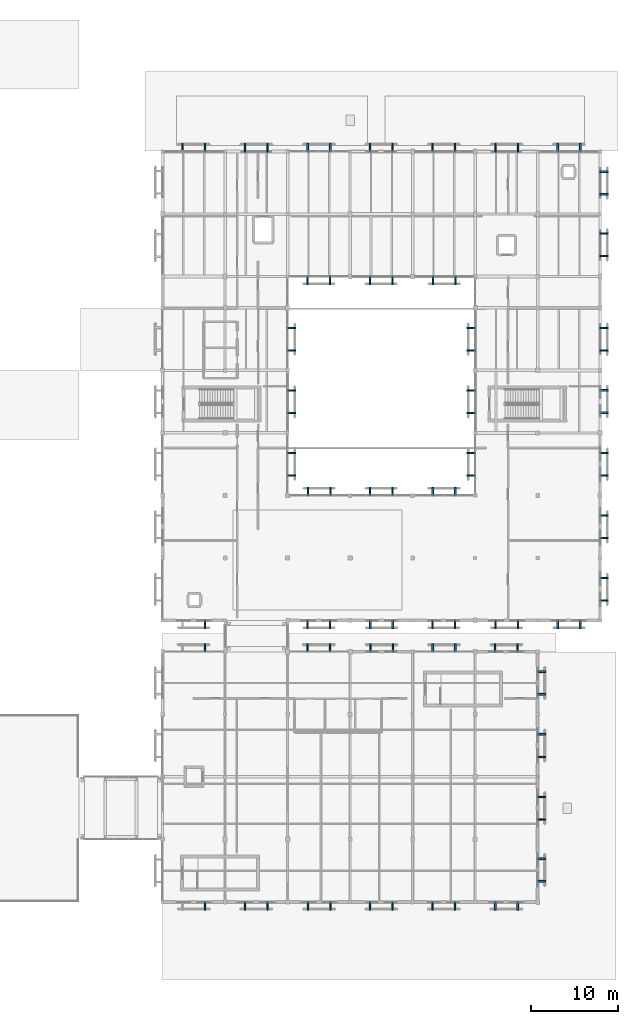
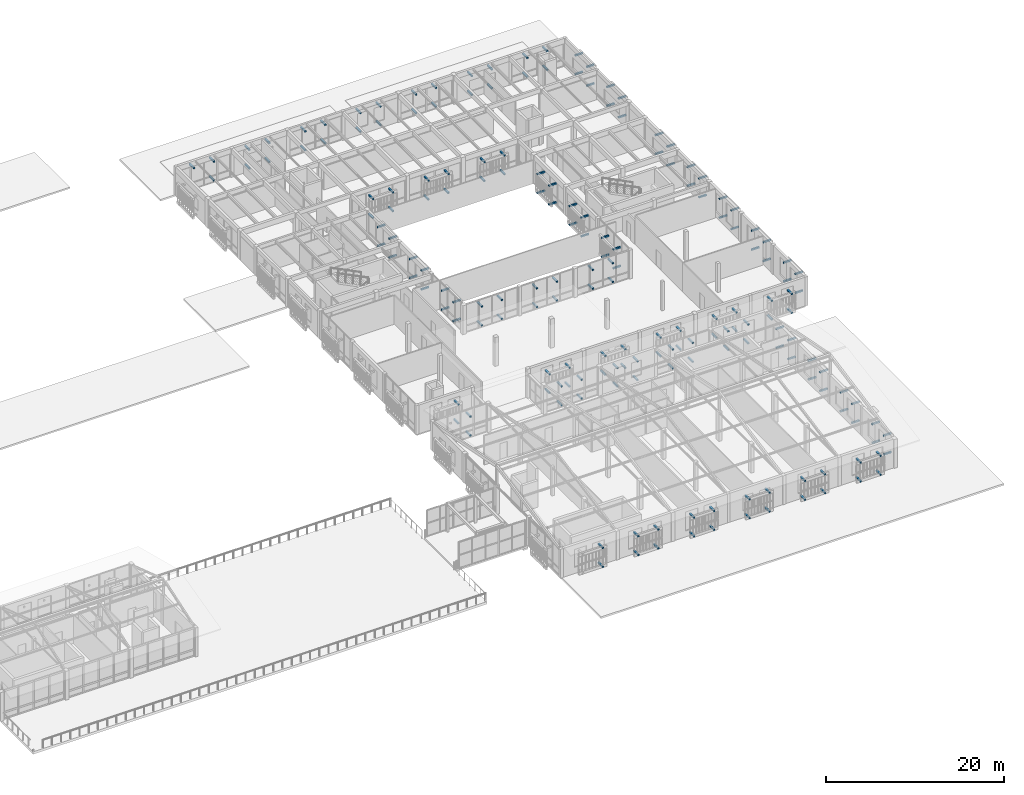
# One storey, part 93 of 112: 181 discrete accessories.
"""IFC4 building model written with IfcOpenShell, lengths in metres."""

from ifc_helpers import new_model, si_unit, direction, frame, origin, origin_2d, place, context, subcontext, project, spatial, rectangle, extrude, material, type_object, element, save


model = new_model("IFC4")

# Units and contexts
model_context = context("Model", 3, precision=1e-05, world=origin(), true_north=direction((0.0, 1.0)))
body_context = subcontext(model_context, "Body", "Model", "MODEL_VIEW")
ifc_project = project(units=[si_unit("LENGTHUNIT", "METRE"), si_unit("AREAUNIT", "SQUARE_METRE"), si_unit("VOLUMEUNIT", "CUBIC_METRE"), si_unit("PLANEANGLEUNIT", "RADIAN"), si_unit("MASSUNIT", "GRAM", prefix="KILO")], contexts=[model_context])

# Site, building, storey
site_placement = place(None, origin())
site = spatial("IfcSite", under=ifc_project, at=site_placement, CompositionType="ELEMENT")
building_placement = place(site_placement, origin())
building = spatial("IfcBuilding", under=site, at=building_placement, Name="Mazaris Harbour Polytechnic", CompositionType="ELEMENT")
storey_placement = place(building_placement, frame((0.0, 0.0, 13.800048828125)))
storey = spatial("IfcBuildingStorey", under=building, at=storey_placement, Name="L03", CompositionType="ELEMENT", Elevation=13.800048828125)

# Discrete accessories
ifc_material = material(Name="Stainless Steel S355", Category="steel")
discrete_accessory_type = type_object("IfcDiscreteAccessoryType", Name="Stainless Screen Outrigger Bracket 200x1020x200", PredefinedType="BRACKET", material=ifc_material)
for number, where, z_axis, x_axis, name in (
    (1, (127.291015625, 13.9599609375, 0.16015625), (0.0, 0.0, 1.0), (-1.0, 0.0, 0.0), "Screen Outrigger Bracket 353"),
    (2, (127.291015625, 13.9599609375, 2.73974609375), (0.0, 0.0, 1.0), (-1.0, 0.0, 0.0), "Screen Outrigger Bracket 354"),
    (3, (134.48095703125, 13.9599609375, 0.16015625), (0.0, 0.0, 1.0), (-1.0, 0.0, 0.0), "Screen Outrigger Bracket 357"),
    (4, (134.48095703125, 13.9599609375, 2.73974609375), (0.0, 0.0, 1.0), (-1.0, 0.0, 0.0), "Screen Outrigger Bracket 358"),
    (5, (131.888916015625, 13.9599609375, 0.16015625), (0.0, 0.0, 1.0), (-1.0, 0.0, 0.0), "Screen Outrigger Bracket 359"),
    (6, (131.888916015625, 13.9599609375, 2.73974609375), (0.0, 0.0, 1.0), (-1.0, 0.0, 0.0), "Screen Outrigger Bracket 360"),
    (7, (141.72607421875, 13.9599609375, 0.16015625), (0.0, 0.0, 1.0), (-1.0, 0.0, 0.0), "Screen Outrigger Bracket 361"),
    (8, (141.72607421875, 13.9599609375, 2.73974609375), (0.0, 0.0, 1.0), (-1.0, 0.0, 0.0), "Screen Outrigger Bracket 362"),
    (9, (139.134033203125, 13.9599609375, 0.16015625), (0.0, 0.0, 1.0), (-1.0, 0.0, 0.0), "Screen Outrigger Bracket 363"),
    (10, (139.134033203125, 13.9599609375, 2.73974609375), (0.0, 0.0, 1.0), (-1.0, 0.0, 0.0), "Screen Outrigger Bracket 364"),
    (11, (148.89111328125, 13.9599609375, 0.16015625), (0.0, 0.0, 1.0), (-1.0, 0.0, 0.0), "Screen Outrigger Bracket 365"),
    (12, (148.89111328125, 13.9599609375, 2.73974609375), (0.0, 0.0, 1.0), (-1.0, 0.0, 0.0), "Screen Outrigger Bracket 366"),
    (13, (146.299072265625, 13.9599609375, 0.16015625), (0.0, 0.0, 1.0), (-1.0, 0.0, 0.0), "Screen Outrigger Bracket 367"),
    (14, (146.299072265625, 13.9599609375, 2.73974609375), (0.0, 0.0, 1.0), (-1.0, 0.0, 0.0), "Screen Outrigger Bracket 368"),
    (15, (156.0810546875, 13.9599609375, 0.16015625), (0.0, 0.0, 1.0), (-1.0, 0.0, 0.0), "Screen Outrigger Bracket 369"),
    (16, (156.0810546875, 13.9599609375, 2.73974609375), (0.0, 0.0, 1.0), (-1.0, 0.0, 0.0), "Screen Outrigger Bracket 370"),
    (17, (153.489013671875, 13.9599609375, 0.16015625), (0.0, 0.0, 1.0), (-1.0, 0.0, 0.0), "Screen Outrigger Bracket 371"),
    (18, (153.489013671875, 13.9599609375, 2.73974609375), (0.0, 0.0, 1.0), (-1.0, 0.0, 0.0), "Screen Outrigger Bracket 372"),
    (19, (163.291015625, 13.9599609375, 0.16015625), (0.0, 0.0, 1.0), (-1.0, 0.0, 0.0), "Screen Outrigger Bracket 373"),
    (20, (163.291015625, 13.9599609375, 2.73974609375), (0.0, 0.0, 1.0), (-1.0, 0.0, 0.0), "Screen Outrigger Bracket 374"),
    (21, (160.698974609375, 13.9599609375, 0.16015625), (0.0, 0.0, 1.0), (-1.0, 0.0, 0.0), "Screen Outrigger Bracket 375"),
    (22, (160.698974609375, 13.9599609375, 2.73974609375), (0.0, 0.0, 1.0), (-1.0, 0.0, 0.0), "Screen Outrigger Bracket 376"),
    (23, (127.281005859375, 43.639892578125, 0.16015625), (0.0, 0.0, 1.0), (1.0, 0.0, 0.0), "Screen Outrigger Bracket 379"),
    (24, (127.281005859375, 43.639892578125, 2.73974609375), (0.0, 0.0, 1.0), (1.0, 0.0, 0.0), "Screen Outrigger Bracket 380"),
    (25, (139.089111328125, 43.639892578125, 0.16015625), (0.0, 0.0, 1.0), (1.0, 0.0, 0.0), "Screen Outrigger Bracket 381"),
    (26, (139.089111328125, 43.639892578125, 2.73974609375), (0.0, 0.0, 1.0), (1.0, 0.0, 0.0), "Screen Outrigger Bracket 382"),
    (27, (141.680908203125, 43.639892578125, 0.16015625), (0.0, 0.0, 1.0), (1.0, 0.0, 0.0), "Screen Outrigger Bracket 383"),
    (28, (141.680908203125, 43.639892578125, 2.73974609375), (0.0, 0.0, 1.0), (1.0, 0.0, 0.0), "Screen Outrigger Bracket 384"),
    (29, (146.333984375, 43.639892578125, 0.16015625), (0.0, 0.0, 1.0), (1.0, 0.0, 0.0), "Screen Outrigger Bracket 385"),
    (30, (146.333984375, 43.639892578125, 2.73974609375), (0.0, 0.0, 1.0), (1.0, 0.0, 0.0), "Screen Outrigger Bracket 386"),
    (31, (148.926025390625, 43.639892578125, 0.16015625), (0.0, 0.0, 1.0), (1.0, 0.0, 0.0), "Screen Outrigger Bracket 387"),
    (32, (148.926025390625, 43.639892578125, 2.73974609375), (0.0, 0.0, 1.0), (1.0, 0.0, 0.0), "Screen Outrigger Bracket 388"),
    (33, (153.4990234375, 43.639892578125, 0.16015625), (0.0, 0.0, 1.0), (1.0, 0.0, 0.0), "Screen Outrigger Bracket 389"),
    (34, (153.4990234375, 43.639892578125, 2.73974609375), (0.0, 0.0, 1.0), (1.0, 0.0, 0.0), "Screen Outrigger Bracket 390"),
    (35, (156.091064453125, 43.639892578125, 0.16015625), (0.0, 0.0, 1.0), (1.0, 0.0, 0.0), "Screen Outrigger Bracket 391"),
    (36, (156.091064453125, 43.639892578125, 2.73974609375), (0.0, 0.0, 1.0), (1.0, 0.0, 0.0), "Screen Outrigger Bracket 392"),
    (37, (160.68896484375, 43.639892578125, 0.16015625), (0.0, 0.0, 1.0), (1.0, 0.0, 0.0), "Screen Outrigger Bracket 393"),
    (38, (160.68896484375, 43.639892578125, 2.73974609375), (0.0, 0.0, 1.0), (1.0, 0.0, 0.0), "Screen Outrigger Bracket 394"),
    (39, (163.281005859375, 43.639892578125, 0.16015625), (0.0, 0.0, 1.0), (1.0, 0.0, 0.0), "Screen Outrigger Bracket 395"),
    (40, (163.281005859375, 43.639892578125, 2.73974609375), (0.0, 0.0, 1.0), (1.0, 0.0, 0.0), "Screen Outrigger Bracket 396"),
    (41, (166.0400390625, 19.361083984375, 0.16015625), (0.0, 0.0, 1.0), (0.0, -1.0, 0.0), "Screen Outrigger Bracket 409"),
    (42, (166.0400390625, 19.361083984375, 2.73974609375), (0.0, 0.0, 1.0), (0.0, -1.0, 0.0), "Screen Outrigger Bracket 410"),
    (43, (166.0400390625, 16.76904296875, 0.16015625), (0.0, 0.0, 1.0), (0.0, -1.0, 0.0), "Screen Outrigger Bracket 411"),
    (44, (166.0400390625, 16.76904296875, 2.73974609375), (0.0, 0.0, 1.0), (0.0, -1.0, 0.0), "Screen Outrigger Bracket 412"),
    (45, (166.0400390625, 26.486083984375, 0.16015625), (0.0, 0.0, 1.0), (0.0, -1.0, 0.0), "Screen Outrigger Bracket 413"),
    (46, (166.0400390625, 26.486083984375, 2.73974609375), (0.0, 0.0, 1.0), (0.0, -1.0, 0.0), "Screen Outrigger Bracket 414"),
    (47, (166.0400390625, 23.89404296875, 0.16015625), (0.0, 0.0, 1.0), (0.0, -1.0, 0.0), "Screen Outrigger Bracket 415"),
    (48, (166.0400390625, 23.89404296875, 2.73974609375), (0.0, 0.0, 1.0), (0.0, -1.0, 0.0), "Screen Outrigger Bracket 416"),
    (49, (166.0400390625, 33.68603515625, 0.16015625), (0.0, 0.0, 1.0), (0.0, -1.0, 0.0), "Screen Outrigger Bracket 417"),
    (50, (166.0400390625, 33.68603515625, 2.73974609375), (0.0, 0.0, 1.0), (0.0, -1.0, 0.0), "Screen Outrigger Bracket 418"),
    (51, (166.0400390625, 31.093994140625, 0.16015625), (0.0, 0.0, 1.0), (0.0, -1.0, 0.0), "Screen Outrigger Bracket 419"),
    (52, (166.0400390625, 31.093994140625, 2.73974609375), (0.0, 0.0, 1.0), (0.0, -1.0, 0.0), "Screen Outrigger Bracket 420"),
    (53, (166.0400390625, 40.885986328125, 0.16015625), (0.0, 0.0, 1.0), (0.0, -1.0, 0.0), "Screen Outrigger Bracket 421"),
    (54, (166.0400390625, 40.885986328125, 2.73974609375), (0.0, 0.0, 1.0), (0.0, -1.0, 0.0), "Screen Outrigger Bracket 422"),
    (55, (166.0400390625, 38.2939453125, 0.16015625), (0.0, 0.0, 1.0), (0.0, -1.0, 0.0), "Screen Outrigger Bracket 423"),
    (56, (166.0400390625, 38.2939453125, 2.73974609375), (0.0, 0.0, 1.0), (0.0, -1.0, 0.0), "Screen Outrigger Bracket 424"),
    (57, (127.285888671875, 46.360107421875, 0.16015625), (0.0, 0.0, 1.0), (-1.0, 0.0, 0.0), "Screen Outrigger Bracket 1781"),
    (58, (127.285888671875, 46.360107421875, 2.73974609375), (0.0, 0.0, 1.0), (-1.0, 0.0, 0.0), "Screen Outrigger Bracket 1782"),
    (59, (141.68603515625, 46.360107421875, 0.16015625), (0.0, 0.0, 1.0), (-1.0, 0.0, 0.0), "Screen Outrigger Bracket 1785"),
    (60, (141.68603515625, 46.360107421875, 2.73974609375), (0.0, 0.0, 1.0), (-1.0, 0.0, 0.0), "Screen Outrigger Bracket 1786"),
    (61, (139.093994140625, 46.360107421875, 0.16015625), (0.0, 0.0, 1.0), (-1.0, 0.0, 0.0), "Screen Outrigger Bracket 1787"),
    (62, (139.093994140625, 46.360107421875, 2.73974609375), (0.0, 0.0, 1.0), (-1.0, 0.0, 0.0), "Screen Outrigger Bracket 1788"),
    (63, (148.916015625, 46.360107421875, 0.16015625), (0.0, 0.0, 1.0), (-1.0, 0.0, 0.0), "Screen Outrigger Bracket 1789"),
    (64, (148.916015625, 46.360107421875, 2.73974609375), (0.0, 0.0, 1.0), (-1.0, 0.0, 0.0), "Screen Outrigger Bracket 1790"),
    (65, (146.323974609375, 46.360107421875, 0.16015625), (0.0, 0.0, 1.0), (-1.0, 0.0, 0.0), "Screen Outrigger Bracket 1791"),
    (66, (146.323974609375, 46.360107421875, 2.73974609375), (0.0, 0.0, 1.0), (-1.0, 0.0, 0.0), "Screen Outrigger Bracket 1792"),
    (67, (156.0810546875, 46.360107421875, 0.16015625), (0.0, 0.0, 1.0), (-1.0, 0.0, 0.0), "Screen Outrigger Bracket 1793"),
    (68, (156.0810546875, 46.360107421875, 2.73974609375), (0.0, 0.0, 1.0), (-1.0, 0.0, 0.0), "Screen Outrigger Bracket 1794"),
    (69, (153.489013671875, 46.360107421875, 0.16015625), (0.0, 0.0, 1.0), (-1.0, 0.0, 0.0), "Screen Outrigger Bracket 1795"),
    (70, (153.489013671875, 46.360107421875, 2.73974609375), (0.0, 0.0, 1.0), (-1.0, 0.0, 0.0), "Screen Outrigger Bracket 1796"),
    (71, (163.321044921875, 46.360107421875, 0.16015625), (0.0, 0.0, 1.0), (-1.0, 0.0, 0.0), "Screen Outrigger Bracket 1797"),
    (72, (163.321044921875, 46.360107421875, 2.73974609375), (0.0, 0.0, 1.0), (-1.0, 0.0, 0.0), "Screen Outrigger Bracket 1798"),
    (73, (160.72900390625, 46.360107421875, 0.16015625), (0.0, 0.0, 1.0), (-1.0, 0.0, 0.0), "Screen Outrigger Bracket 1799"),
    (74, (160.72900390625, 46.360107421875, 2.73974609375), (0.0, 0.0, 1.0), (-1.0, 0.0, 0.0), "Screen Outrigger Bracket 1800"),
    (75, (170.486083984375, 46.360107421875, 0.16015625), (0.0, 0.0, 1.0), (-1.0, 0.0, 0.0), "Screen Outrigger Bracket 1801"),
    (76, (170.486083984375, 46.360107421875, 2.73974609375), (0.0, 0.0, 1.0), (-1.0, 0.0, 0.0), "Screen Outrigger Bracket 1802"),
    (77, (167.89404296875, 46.360107421875, 0.16015625), (0.0, 0.0, 1.0), (-1.0, 0.0, 0.0), "Screen Outrigger Bracket 1803"),
    (78, (167.89404296875, 46.360107421875, 2.73974609375), (0.0, 0.0, 1.0), (-1.0, 0.0, 0.0), "Screen Outrigger Bracket 1804"),
    (79, (124.694091796875, 101.239990234375, 2.73974609375), (0.0, 0.0, 1.0), (1.0, 0.0, 0.0), "Screen Outrigger Bracket 1806"),
    (80, (127.285888671875, 101.239990234375, 0.16015625), (0.0, 0.0, 1.0), (1.0, 0.0, 0.0), "Screen Outrigger Bracket 1807"),
    (81, (127.285888671875, 101.239990234375, 2.73974609375), (0.0, 0.0, 1.0), (1.0, 0.0, 0.0), "Screen Outrigger Bracket 1808"),
    (82, (131.89404296875, 101.239990234375, 0.16015625), (0.0, 0.0, 1.0), (1.0, 0.0, 0.0), "Screen Outrigger Bracket 1809"),
    (83, (131.89404296875, 101.239990234375, 2.73974609375), (0.0, 0.0, 1.0), (1.0, 0.0, 0.0), "Screen Outrigger Bracket 1810"),
    (84, (134.486083984375, 101.239990234375, 0.16015625), (0.0, 0.0, 1.0), (1.0, 0.0, 0.0), "Screen Outrigger Bracket 1811"),
    (85, (134.486083984375, 101.239990234375, 2.73974609375), (0.0, 0.0, 1.0), (1.0, 0.0, 0.0), "Screen Outrigger Bracket 1812"),
    (86, (139.1240234375, 101.239990234375, 0.16015625), (0.0, 0.0, 1.0), (1.0, 0.0, 0.0), "Screen Outrigger Bracket 1813"),
    (87, (139.1240234375, 101.239990234375, 2.73974609375), (0.0, 0.0, 1.0), (1.0, 0.0, 0.0), "Screen Outrigger Bracket 1814"),
    (88, (141.716064453125, 101.239990234375, 0.16015625), (0.0, 0.0, 1.0), (1.0, 0.0, 0.0), "Screen Outrigger Bracket 1815"),
    (89, (141.716064453125, 101.239990234375, 2.73974609375), (0.0, 0.0, 1.0), (1.0, 0.0, 0.0), "Screen Outrigger Bracket 1816"),
    (90, (146.2890625, 101.239990234375, 0.16015625), (0.0, 0.0, 1.0), (1.0, 0.0, 0.0), "Screen Outrigger Bracket 1817"),
    (91, (146.2890625, 101.239990234375, 2.73974609375), (0.0, 0.0, 1.0), (1.0, 0.0, 0.0), "Screen Outrigger Bracket 1818"),
    (92, (148.881103515625, 101.239990234375, 0.16015625), (0.0, 0.0, 1.0), (1.0, 0.0, 0.0), "Screen Outrigger Bracket 1819"),
    (93, (148.881103515625, 101.239990234375, 2.73974609375), (0.0, 0.0, 1.0), (1.0, 0.0, 0.0), "Screen Outrigger Bracket 1820"),
    (94, (153.493896484375, 101.239990234375, 0.16015625), (0.0, 0.0, 1.0), (1.0, 0.0, 0.0), "Screen Outrigger Bracket 1821"),
    (95, (153.493896484375, 101.239990234375, 2.73974609375), (0.0, 0.0, 1.0), (1.0, 0.0, 0.0), "Screen Outrigger Bracket 1822"),
    (96, (156.0859375, 101.239990234375, 0.16015625), (0.0, 0.0, 1.0), (1.0, 0.0, 0.0), "Screen Outrigger Bracket 1823"),
    (97, (156.0859375, 101.239990234375, 2.73974609375), (0.0, 0.0, 1.0), (1.0, 0.0, 0.0), "Screen Outrigger Bracket 1824"),
    (98, (160.72900390625, 101.239990234375, 0.16015625), (0.0, 0.0, 1.0), (1.0, 0.0, 0.0), "Screen Outrigger Bracket 1825"),
    (99, (160.72900390625, 101.239990234375, 2.73974609375), (0.0, 0.0, 1.0), (1.0, 0.0, 0.0), "Screen Outrigger Bracket 1826"),
    (100, (163.321044921875, 101.239990234375, 0.16015625), (0.0, 0.0, 1.0), (1.0, 0.0, 0.0), "Screen Outrigger Bracket 1827"),
    (101, (163.321044921875, 101.239990234375, 2.73974609375), (0.0, 0.0, 1.0), (1.0, 0.0, 0.0), "Screen Outrigger Bracket 1828"),
    (102, (167.89404296875, 101.239990234375, 0.16015625), (0.0, 0.0, 1.0), (1.0, 0.0, 0.0), "Screen Outrigger Bracket 1829"),
    (103, (167.89404296875, 101.239990234375, 2.73974609375), (0.0, 0.0, 1.0), (1.0, 0.0, 0.0), "Screen Outrigger Bracket 1830"),
    (104, (170.486083984375, 101.239990234375, 0.16015625), (0.0, 0.0, 1.0), (1.0, 0.0, 0.0), "Screen Outrigger Bracket 1831"),
    (105, (170.486083984375, 101.239990234375, 2.73974609375), (0.0, 0.0, 1.0), (1.0, 0.0, 0.0), "Screen Outrigger Bracket 1832"),
    (106, (173.239990234375, 51.68603515625, 0.16015625), (0.0, 0.0, 1.0), (0.0, -1.0, 0.0), "Screen Outrigger Bracket 1861"),
    (107, (173.239990234375, 51.68603515625, 2.73974609375), (0.0, 0.0, 1.0), (0.0, -1.0, 0.0), "Screen Outrigger Bracket 1862"),
    (108, (173.239990234375, 49.093994140625, 0.16015625), (0.0, 0.0, 1.0), (0.0, -1.0, 0.0), "Screen Outrigger Bracket 1863"),
    (109, (173.239990234375, 49.093994140625, 2.73974609375), (0.0, 0.0, 1.0), (0.0, -1.0, 0.0), "Screen Outrigger Bracket 1864"),
    (110, (173.239990234375, 58.885986328125, 0.16015625), (0.0, 0.0, 1.0), (0.0, -1.0, 0.0), "Screen Outrigger Bracket 1865"),
    (111, (173.239990234375, 58.885986328125, 2.73974609375), (0.0, 0.0, 1.0), (0.0, -1.0, 0.0), "Screen Outrigger Bracket 1866"),
    (112, (173.239990234375, 56.2939453125, 0.16015625), (0.0, 0.0, 1.0), (0.0, -1.0, 0.0), "Screen Outrigger Bracket 1867"),
    (113, (173.239990234375, 56.2939453125, 2.73974609375), (0.0, 0.0, 1.0), (0.0, -1.0, 0.0), "Screen Outrigger Bracket 1868"),
    (114, (173.239990234375, 66.0859375, 0.16015625), (0.0, 0.0, 1.0), (0.0, -1.0, 0.0), "Screen Outrigger Bracket 1869"),
    (115, (173.239990234375, 66.0859375, 2.73974609375), (0.0, 0.0, 1.0), (0.0, -1.0, 0.0), "Screen Outrigger Bracket 1870"),
    (116, (173.239990234375, 63.493896484375, 0.16015625), (0.0, 0.0, 1.0), (0.0, -1.0, 0.0), "Screen Outrigger Bracket 1871"),
    (117, (173.239990234375, 63.493896484375, 2.73974609375), (0.0, 0.0, 1.0), (0.0, -1.0, 0.0), "Screen Outrigger Bracket 1872"),
    (118, (173.239990234375, 73.301025390625, 0.16015625), (0.0, 0.0, 1.0), (0.0, -1.0, 0.0), "Screen Outrigger Bracket 1873"),
    (119, (173.239990234375, 73.301025390625, 2.73974609375), (0.0, 0.0, 1.0), (0.0, -1.0, 0.0), "Screen Outrigger Bracket 1874"),
    (120, (173.239990234375, 70.708984375, 0.16015625), (0.0, 0.0, 1.0), (0.0, -1.0, 0.0), "Screen Outrigger Bracket 1875"),
    (121, (173.239990234375, 70.708984375, 2.73974609375), (0.0, 0.0, 1.0), (0.0, -1.0, 0.0), "Screen Outrigger Bracket 1876"),
    (122, (173.239990234375, 80.48095703125, 0.16015625), (0.0, 0.0, 1.0), (0.0, -1.0, 0.0), "Screen Outrigger Bracket 1877"),
    (123, (173.239990234375, 80.48095703125, 2.73974609375), (0.0, 0.0, 1.0), (0.0, -1.0, 0.0), "Screen Outrigger Bracket 1878"),
    (124, (173.239990234375, 77.888916015625, 0.16015625), (0.0, 0.0, 1.0), (0.0, -1.0, 0.0), "Screen Outrigger Bracket 1879"),
    (125, (173.239990234375, 77.888916015625, 2.73974609375), (0.0, 0.0, 1.0), (0.0, -1.0, 0.0), "Screen Outrigger Bracket 1880"),
    (126, (173.239990234375, 91.361083984375, 0.16015625), (0.0, 0.0, 1.0), (0.0, -1.0, 0.0), "Screen Outrigger Bracket 1881"),
    (127, (173.239990234375, 91.361083984375, 2.73974609375), (0.0, 0.0, 1.0), (0.0, -1.0, 0.0), "Screen Outrigger Bracket 1882"),
    (128, (173.239990234375, 88.76904296875, 0.16015625), (0.0, 0.0, 1.0), (0.0, -1.0, 0.0), "Screen Outrigger Bracket 1883"),
    (129, (173.239990234375, 88.76904296875, 2.73974609375), (0.0, 0.0, 1.0), (0.0, -1.0, 0.0), "Screen Outrigger Bracket 1884"),
    (130, (173.239990234375, 98.486083984375, 0.16015625), (0.0, 0.0, 1.0), (0.0, -1.0, 0.0), "Screen Outrigger Bracket 1885"),
    (131, (173.239990234375, 98.486083984375, 2.73974609375), (0.0, 0.0, 1.0), (0.0, -1.0, 0.0), "Screen Outrigger Bracket 1886"),
    (132, (173.239990234375, 95.89404296875, 0.16015625), (0.0, 0.0, 1.0), (0.0, -1.0, 0.0), "Screen Outrigger Bracket 1887"),
    (133, (173.239990234375, 95.89404296875, 2.73974609375), (0.0, 0.0, 1.0), (0.0, -1.0, 0.0), "Screen Outrigger Bracket 1888"),
    (134, (139.138916015625, 61.639892578125, 0.16015625), (0.0, 0.0, 1.0), (1.0, 0.0, 0.0), "Screen Outrigger Bracket 1889"),
    (135, (139.138916015625, 61.639892578125, 2.73974609375), (0.0, 0.0, 1.0), (1.0, 0.0, 0.0), "Screen Outrigger Bracket 1890"),
    (136, (141.73095703125, 61.639892578125, 0.16015625), (0.0, 0.0, 1.0), (1.0, 0.0, 0.0), "Screen Outrigger Bracket 1891"),
    (137, (141.73095703125, 61.639892578125, 2.73974609375), (0.0, 0.0, 1.0), (1.0, 0.0, 0.0), "Screen Outrigger Bracket 1892"),
    (138, (146.279052734375, 61.639892578125, 0.16015625), (0.0, 0.0, 1.0), (1.0, 0.0, 0.0), "Screen Outrigger Bracket 1893"),
    (139, (146.279052734375, 61.639892578125, 2.73974609375), (0.0, 0.0, 1.0), (1.0, 0.0, 0.0), "Screen Outrigger Bracket 1894"),
    (140, (148.87109375, 61.639892578125, 0.16015625), (0.0, 0.0, 1.0), (1.0, 0.0, 0.0), "Screen Outrigger Bracket 1895"),
    (141, (148.87109375, 61.639892578125, 2.73974609375), (0.0, 0.0, 1.0), (1.0, 0.0, 0.0), "Screen Outrigger Bracket 1896"),
    (142, (153.52392578125, 61.639892578125, 0.16015625), (0.0, 0.0, 1.0), (1.0, 0.0, 0.0), "Screen Outrigger Bracket 1897"),
    (143, (153.52392578125, 61.639892578125, 2.73974609375), (0.0, 0.0, 1.0), (1.0, 0.0, 0.0), "Screen Outrigger Bracket 1898"),
    (144, (156.115966796875, 61.639892578125, 0.16015625), (0.0, 0.0, 1.0), (1.0, 0.0, 0.0), "Screen Outrigger Bracket 1899"),
    (145, (156.115966796875, 61.639892578125, 2.73974609375), (0.0, 0.0, 1.0), (1.0, 0.0, 0.0), "Screen Outrigger Bracket 1900"),
    (146, (141.680908203125, 85.9599609375, 0.16015625), (0.0, 0.0, 1.0), (-1.0, 0.0, 0.0), "Screen Outrigger Bracket 1901"),
    (147, (141.680908203125, 85.9599609375, 2.73974609375), (0.0, 0.0, 1.0), (-1.0, 0.0, 0.0), "Screen Outrigger Bracket 1902"),
    (148, (139.089111328125, 85.9599609375, 0.16015625), (0.0, 0.0, 1.0), (-1.0, 0.0, 0.0), "Screen Outrigger Bracket 1903"),
    (149, (139.089111328125, 85.9599609375, 2.73974609375), (0.0, 0.0, 1.0), (-1.0, 0.0, 0.0), "Screen Outrigger Bracket 1904"),
    (150, (148.87109375, 85.9599609375, 0.16015625), (0.0, 0.0, 1.0), (-1.0, 0.0, 0.0), "Screen Outrigger Bracket 1905"),
    (151, (148.87109375, 85.9599609375, 2.73974609375), (0.0, 0.0, 1.0), (-1.0, 0.0, 0.0), "Screen Outrigger Bracket 1906"),
    (152, (146.279052734375, 85.9599609375, 0.16015625), (0.0, 0.0, 1.0), (-1.0, 0.0, 0.0), "Screen Outrigger Bracket 1907"),
    (153, (146.279052734375, 85.9599609375, 2.73974609375), (0.0, 0.0, 1.0), (-1.0, 0.0, 0.0), "Screen Outrigger Bracket 1908"),
    (154, (156.131103515625, 85.9599609375, 0.16015625), (0.0, 0.0, 1.0), (-1.0, 0.0, 0.0), "Screen Outrigger Bracket 1909"),
    (155, (156.131103515625, 85.9599609375, 2.73974609375), (0.0, 0.0, 1.0), (-1.0, 0.0, 0.0), "Screen Outrigger Bracket 1910"),
    (156, (153.5390625, 85.9599609375, 0.16015625), (0.0, 0.0, 1.0), (-1.0, 0.0, 0.0), "Screen Outrigger Bracket 1911"),
    (157, (153.5390625, 85.9599609375, 2.73974609375), (0.0, 0.0, 1.0), (-1.0, 0.0, 0.0), "Screen Outrigger Bracket 1912"),
    (158, (137.239990234375, 63.509033203125, 0.16015625), (0.0, 0.0, 1.0), (0.0, 1.0, 0.0), "Screen Outrigger Bracket 1913"),
    (159, (137.239990234375, 63.509033203125, 2.73974609375), (0.0, 0.0, 1.0), (0.0, 1.0, 0.0), "Screen Outrigger Bracket 1914"),
    (160, (137.239990234375, 66.10107421875, 0.16015625), (0.0, 0.0, 1.0), (0.0, 1.0, 0.0), "Screen Outrigger Bracket 1915"),
    (161, (137.239990234375, 66.10107421875, 2.73974609375), (0.0, 0.0, 1.0), (0.0, 1.0, 0.0), "Screen Outrigger Bracket 1916"),
    (162, (137.239990234375, 70.68896484375, 0.16015625), (0.0, 0.0, 1.0), (0.0, 1.0, 0.0), "Screen Outrigger Bracket 1917"),
    (163, (137.239990234375, 70.68896484375, 2.73974609375), (0.0, 0.0, 1.0), (0.0, 1.0, 0.0), "Screen Outrigger Bracket 1918"),
    (164, (137.239990234375, 73.281005859375, 0.16015625), (0.0, 0.0, 1.0), (0.0, 1.0, 0.0), "Screen Outrigger Bracket 1919"),
    (165, (137.239990234375, 73.281005859375, 2.73974609375), (0.0, 0.0, 1.0), (0.0, 1.0, 0.0), "Screen Outrigger Bracket 1920"),
    (166, (137.239990234375, 77.888916015625, 0.16015625), (0.0, 0.0, 1.0), (0.0, 1.0, 0.0), "Screen Outrigger Bracket 1921"),
    (167, (137.239990234375, 77.888916015625, 2.73974609375), (0.0, 0.0, 1.0), (0.0, 1.0, 0.0), "Screen Outrigger Bracket 1922"),
    (168, (137.239990234375, 80.48095703125, 0.16015625), (0.0, 0.0, 1.0), (0.0, 1.0, 0.0), "Screen Outrigger Bracket 1923"),
    (169, (137.239990234375, 80.48095703125, 2.73974609375), (0.0, 0.0, 1.0), (0.0, 1.0, 0.0), "Screen Outrigger Bracket 1924"),
    (170, (157.9599609375, 66.0859375, 0.16015625), (0.0, 0.0, 1.0), (0.0, -1.0, 0.0), "Screen Outrigger Bracket 1925"),
    (171, (157.9599609375, 66.0859375, 2.73974609375), (0.0, 0.0, 1.0), (0.0, -1.0, 0.0), "Screen Outrigger Bracket 1926"),
    (172, (157.9599609375, 63.493896484375, 0.16015625), (0.0, 0.0, 1.0), (0.0, -1.0, 0.0), "Screen Outrigger Bracket 1927"),
    (173, (157.9599609375, 63.493896484375, 2.73974609375), (0.0, 0.0, 1.0), (0.0, -1.0, 0.0), "Screen Outrigger Bracket 1928"),
    (174, (157.9599609375, 73.285888671875, 0.16015625), (0.0, 0.0, 1.0), (0.0, -1.0, 0.0), "Screen Outrigger Bracket 1929"),
    (175, (157.9599609375, 73.285888671875, 2.73974609375), (0.0, 0.0, 1.0), (0.0, -1.0, 0.0), "Screen Outrigger Bracket 1930"),
    (176, (157.9599609375, 70.694091796875, 0.16015625), (0.0, 0.0, 1.0), (0.0, -1.0, 0.0), "Screen Outrigger Bracket 1931"),
    (177, (157.9599609375, 70.694091796875, 2.73974609375), (0.0, 0.0, 1.0), (0.0, -1.0, 0.0), "Screen Outrigger Bracket 1932"),
    (178, (157.9599609375, 80.486083984375, 0.16015625), (0.0, 0.0, 1.0), (0.0, -1.0, 0.0), "Screen Outrigger Bracket 1933"),
    (179, (157.9599609375, 80.486083984375, 2.73974609375), (0.0, 0.0, 1.0), (0.0, -1.0, 0.0), "Screen Outrigger Bracket 1934"),
    (180, (157.9599609375, 77.89404296875, 0.16015625), (0.0, 0.0, 1.0), (0.0, -1.0, 0.0), "Screen Outrigger Bracket 1935"),
    (181, (157.9599609375, 77.89404296875, 2.73974609375), (0.0, 0.0, 1.0), (0.0, -1.0, 0.0), "Screen Outrigger Bracket 1936"),
):
    element("IfcDiscreteAccessory", number, at=place(storey_placement, frame(where, z_axis=z_axis, x_axis=x_axis)), inside=storey, type_object=discrete_accessory_type, Name=name, PredefinedType="BRACKET", context=body_context, shape_type="SweptSolid", body=[
        extrude(rectangle(XDim=0.199951171875, YDim=1.02001953125, at=origin_2d()), origin(), (0.0, 0.0, 1.0), 0.199951171875),
    ])

save(model, "model.ifc")
